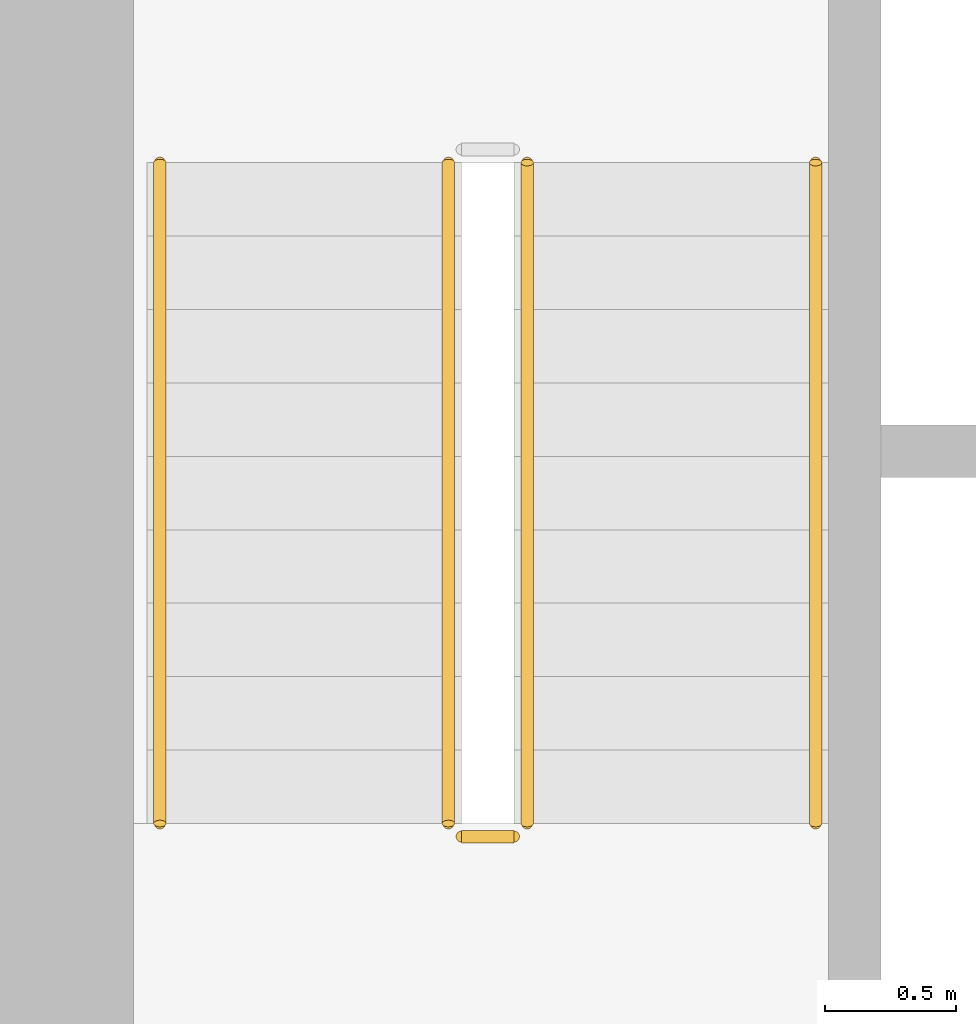
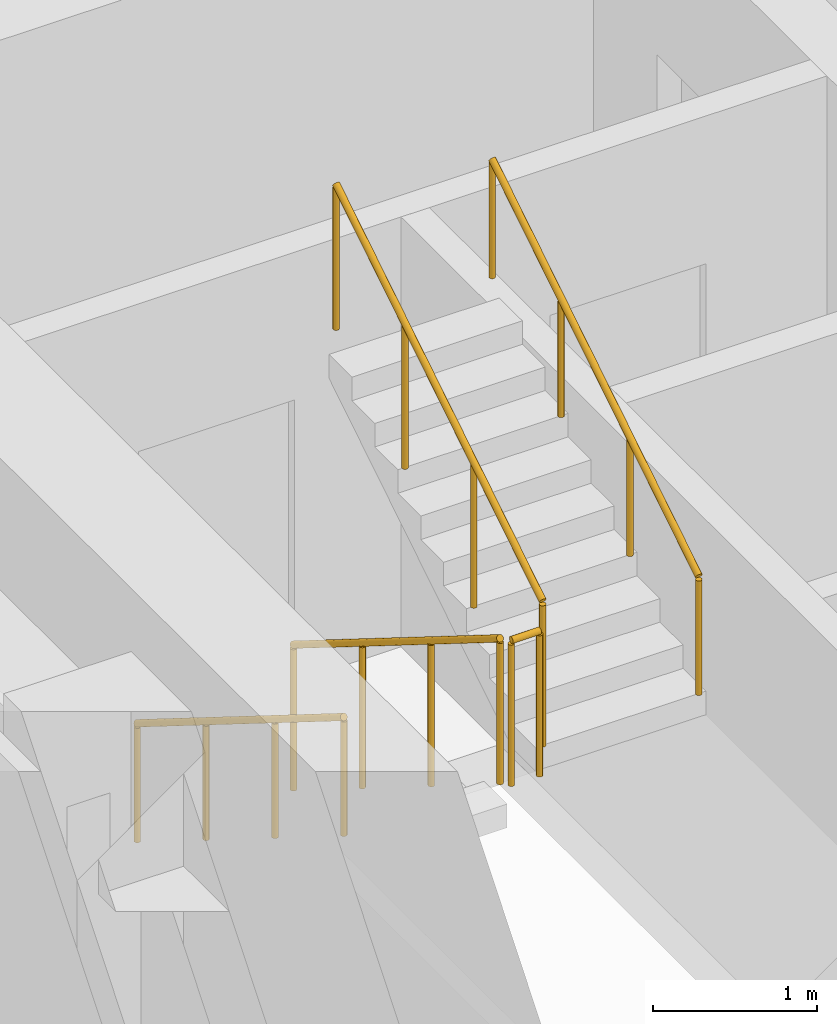
# One storey, part 14 of 21: 5 railings.
"""IFC4 building model written with IfcOpenShell, lengths in metres."""

from ifc_helpers import new_model, si_unit, direction, frame, origin, origin_2d, place, context, subcontext, project, spatial, circle, extrude, material, type_object, element, save


model = new_model("IFC4")

# Units and contexts
model_context = context("Model", 3, precision=1e-05, world=origin(), true_north=direction((0.0, 1.0)))
body_context = subcontext(model_context, "Body", "Model", "MODEL_VIEW")
ifc_project = project(units=[si_unit("LENGTHUNIT", "METRE"), si_unit("AREAUNIT", "SQUARE_METRE"), si_unit("VOLUMEUNIT", "CUBIC_METRE"), si_unit("PLANEANGLEUNIT", "RADIAN"), si_unit("MASSUNIT", "GRAM", prefix="KILO")], contexts=[model_context])

# Site, building, storey
site_placement = place(None, origin())
site = spatial("IfcSite", under=ifc_project, at=site_placement, CompositionType="ELEMENT")
building_placement = place(site_placement, origin())
building = spatial("IfcBuilding", under=site, at=building_placement, Name="Kiln Ring Residences", CompositionType="ELEMENT")
storey_placement = place(building_placement, frame((0.0, 0.0, 202.89990234375)))
storey = spatial("IfcBuildingStorey", under=building, at=storey_placement, Name="L52", CompositionType="ELEMENT", Elevation=202.89990234375)

# Railings
ifc_material_1 = material(Name="Stainless steel", Category="steel")
railing_type_1 = type_object("IfcRailingType", Name="CORE-STAIR-GUARD", PredefinedType="GUARDRAIL", material=ifc_material_1)
railing_1_placement = place(storey_placement, frame((-22.25, 8.39990234375, 0.175048828125)))
element("IfcRailing", 1, at=railing_1_placement, inside=storey, type_object=railing_type_1, Name="L52 W-STN stair guard 1", PredefinedType="GUARDRAIL", context=body_context, shape_type="SweptSolid", body=[
    extrude(circle(Radius=0.02392578125, at=origin_2d()), frame((0.0, 0.0, 1.076171875), z_axis=(0.0, -0.848007534815, 0.529984170421), x_axis=(1.0, 0.0, 0.0)), (0.0, 0.0, 1.0), 2.9716796875),
    extrude(circle(Radius=0.02099609375, at=origin_2d()), origin(), (0.0, 0.0, 1.0), 1.052001953125),
    extrude(circle(Radius=0.02099609375, at=origin_2d()), frame((0.0, -0.840087890625, 0.52490234375)), (0.0, 0.0, 1.0), 1.052001953125),
    extrude(circle(Radius=0.02099609375, at=origin_2d()), frame((0.0, -1.679931640625, 1.050048828125)), (0.0, 0.0, 1.0), 1.052001953125),
    extrude(circle(Radius=0.02099609375, at=origin_2d()), frame((0.0, -2.52001953125, 1.574951171875)), (0.0, 0.0, 1.0), 1.052001953125),
])
railing_2_placement = place(storey_placement, frame((-22.199951171875, 5.830078125, 1.75)))
element("IfcRailing", 2, at=railing_2_placement, inside=storey, type_object=railing_type_1, Name="L52 W-STN stair guard 2", PredefinedType="GUARDRAIL", context=body_context, shape_type="SweptSolid", body=[
    extrude(circle(Radius=0.02392578125, at=origin_2d()), frame((0.0, 0.0, 1.076171875), z_axis=(1.0, 0.0, 0.0), x_axis=(0.0, 1.0, 0.0)), (0.0, 0.0, 1.0), 0.199951171875),
    extrude(circle(Radius=0.02099609375, at=origin_2d()), origin(), (0.0, 0.0, 1.0), 1.052001953125),
    extrude(circle(Radius=0.02099609375, at=origin_2d()), frame((0.199951171875, 0.0, 0.0)), (0.0, 0.0, 1.0), 1.052001953125),
])
railing_3_placement = place(storey_placement, frame((-21.949951171875, 5.8798828125, 1.925048828125)))
element("IfcRailing", 3, at=railing_3_placement, inside=storey, type_object=railing_type_1, Name="L52 W-STN stair guard 3", PredefinedType="GUARDRAIL", context=body_context, shape_type="SweptSolid", body=[
    extrude(circle(Radius=0.02392578125, at=origin_2d()), frame((0.0, 0.0, 1.076171875), z_axis=(0.0, 0.848007534815, 0.529984170421), x_axis=(-1.0, 0.0, 0.0)), (0.0, 0.0, 1.0), 2.9716796875),
    extrude(circle(Radius=0.02099609375, at=origin_2d()), origin(), (0.0, 0.0, 1.0), 1.052001953125),
    extrude(circle(Radius=0.02099609375, at=origin_2d()), frame((0.0, 0.840087890625, 0.52490234375)), (0.0, 0.0, 1.0), 1.052001953125),
    extrude(circle(Radius=0.02099609375, at=origin_2d()), frame((0.0, 1.679931640625, 1.050048828125)), (0.0, 0.0, 1.0), 1.052001953125),
    extrude(circle(Radius=0.02099609375, at=origin_2d()), frame((0.0, 2.52001953125, 1.574951171875)), (0.0, 0.0, 1.0), 1.052001953125),
])
ifc_material_2 = material(Name="Stainless steel", Category="steel")
railing_type_2 = type_object("IfcRailingType", Name="CORE-STAIR-HANDRAIL", PredefinedType="HANDRAIL", material=ifc_material_2)
railing_4_placement = place(storey_placement, frame((-23.35009765625, 8.39990234375, 0.175048828125)))
element("IfcRailing", 4, at=railing_4_placement, inside=storey, type_object=railing_type_2, Name="L52 W-STN stair handrail 1", PredefinedType="HANDRAIL", context=body_context, shape_type="SweptSolid", body=[
    extrude(circle(Radius=0.02392578125, at=origin_2d()), frame((0.0, 0.0, 0.8759765625), z_axis=(0.0, -0.848007534815, 0.529984170421), x_axis=(1.0, 0.0, 0.0)), (0.0, 0.0, 1.0), 2.9716796875),
    extrude(circle(Radius=0.02099609375, at=origin_2d()), origin(), (0.0, 0.0, 1.0), 0.851806640625),
    extrude(circle(Radius=0.02099609375, at=origin_2d()), frame((0.0, -0.840087890625, 0.52490234375)), (0.0, 0.0, 1.0), 0.851806640625),
    extrude(circle(Radius=0.02099609375, at=origin_2d()), frame((0.0, -1.679931640625, 1.050048828125)), (0.0, 0.0, 1.0), 0.851806640625),
    extrude(circle(Radius=0.02099609375, at=origin_2d()), frame((0.0, -2.52001953125, 1.574951171875)), (0.0, 0.0, 1.0), 0.851806640625),
])
railing_5_placement = place(storey_placement, frame((-20.85009765625, 5.8798828125, 1.925048828125)))
element("IfcRailing", 5, at=railing_5_placement, inside=storey, type_object=railing_type_2, Name="L52 W-STN stair handrail 2", PredefinedType="HANDRAIL", context=body_context, shape_type="SweptSolid", body=[
    extrude(circle(Radius=0.02392578125, at=origin_2d()), frame((0.0, 0.0, 0.8759765625), z_axis=(0.0, 0.848007534815, 0.529984170421), x_axis=(-1.0, 0.0, 0.0)), (0.0, 0.0, 1.0), 2.9716796875),
    extrude(circle(Radius=0.02099609375, at=origin_2d()), origin(), (0.0, 0.0, 1.0), 0.851806640625),
    extrude(circle(Radius=0.02099609375, at=origin_2d()), frame((0.0, 0.840087890625, 0.52490234375)), (0.0, 0.0, 1.0), 0.851806640625),
    extrude(circle(Radius=0.02099609375, at=origin_2d()), frame((0.0, 1.679931640625, 1.050048828125)), (0.0, 0.0, 1.0), 0.851806640625),
    extrude(circle(Radius=0.02099609375, at=origin_2d()), frame((0.0, 2.52001953125, 1.574951171875)), (0.0, 0.0, 1.0), 0.851806640625),
])

save(model, "model.ifc")
